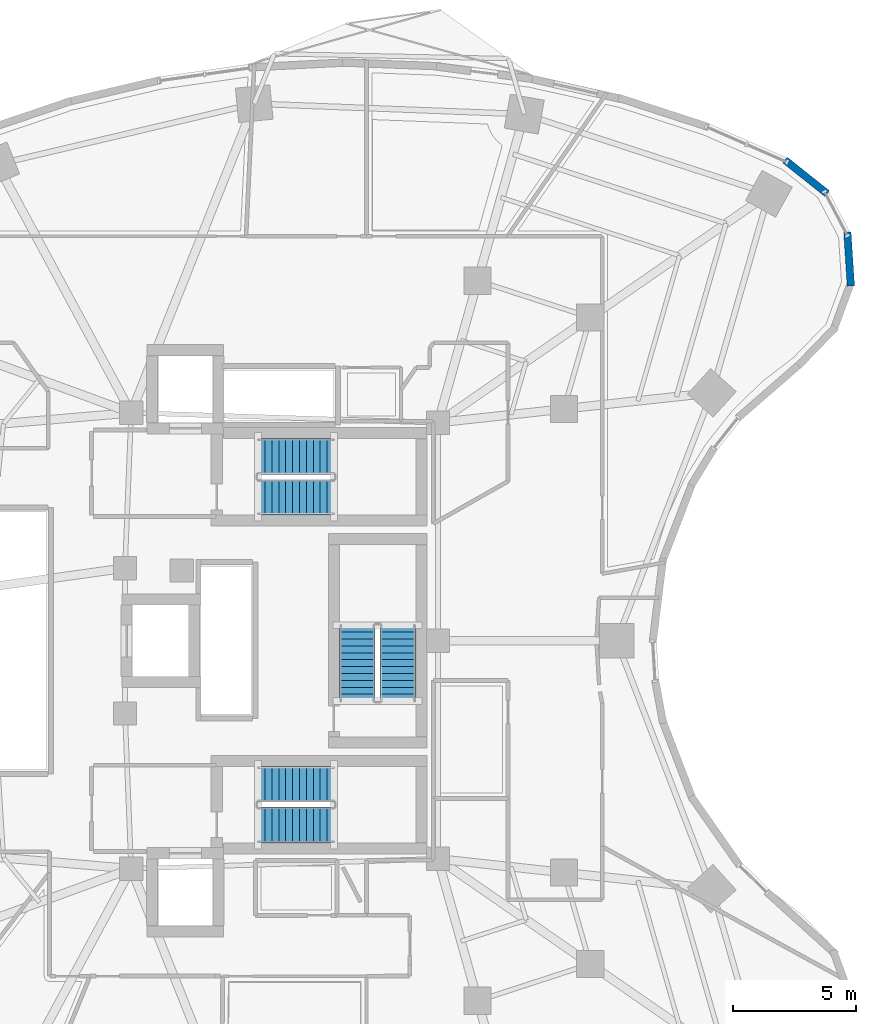
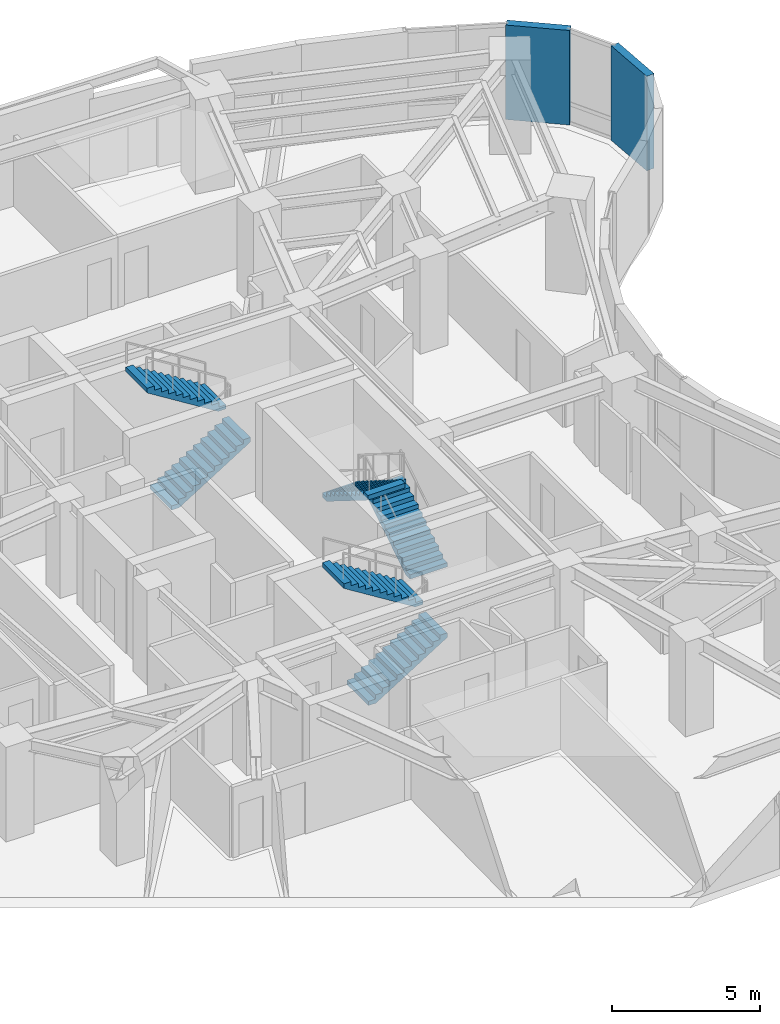
# One storey, part 12 of 15: 6 stair flights, 2 walls, 3 elements without a shape of their own.
"""IFC4 building model written with IfcOpenShell, lengths in metres."""

import ifcopenshell
import ifcopenshell.guid

model = None  # the IFC model being written
_history = None  # IfcOwnerHistory: only IFC2X3 demands one
_inside = {}  # id of a spatial element -> (the spatial element, [elements in it])
_under = {}  # id of a project, library or spatial element -> (it, [spatial elements below it])
_declared = {}  # id of a project -> (the project, [libraries it declares])
_typed = {}  # id of a type object -> (the type object, [elements of that type])
_made_of = {}  # id of a material, layer set ... -> (it, [elements and type objects made of it])


def new_model(schema):
    """Start an empty IFC model of exactly this schema.

    Asked for "IFC4X3", IfcOpenShell would pick the latest addendum, in which some entities
    have other attributes; the version numbers below select the first issue.
    IFC2X3 requires an IfcOwnerHistory on every rooted entity: one is made here for all.
    """
    global model, _history
    if schema == "IFC4X3":
        model = ifcopenshell.file(schema_version=(4, 3, 0, 0))
    else:
        model = ifcopenshell.file(schema=schema)
    _inside.clear()
    _under.clear()
    _declared.clear()
    _typed.clear()
    _made_of.clear()
    _history = None
    if model.schema == "IFC2X3":
        org = make("IfcOrganization", Name="unknown")
        user = make(
            "IfcPersonAndOrganization",
            ThePerson=make("IfcPerson", FamilyName="unknown"),
            TheOrganization=org,
        )
        app = make(
            "IfcApplication",
            ApplicationDeveloper=org,
            Version="unknown",
            ApplicationFullName="unknown",
            ApplicationIdentifier="unknown",
        )
        _history = make(
            "IfcOwnerHistory",
            OwningUser=user,
            OwningApplication=app,
            ChangeAction="ADDED",
            CreationDate=0,
        )
    return model


def make(cls, **values):
    """One entity of the class cls with the attributes given. An attribute that is None is left unset."""
    return model.create_entity(
        cls, **{name: value for name, value in values.items() if value is not None}
    )


def rooted(cls, **values):
    """An entity with a GlobalId (a new one), such as an element, a storey or a relation."""
    return make(cls, GlobalId=ifcopenshell.guid.new(), OwnerHistory=_history, **values)


def si_unit(unit_type, name, prefix=None):
    """IfcSIUnit, for example si_unit("LENGTHUNIT", "METRE", prefix="MILLI")."""
    return make("IfcSIUnit", UnitType=unit_type, Prefix=prefix, Name=name)


def assignment(units):
    """IfcUnitAssignment: the units of a project."""
    return None if units is None else make("IfcUnitAssignment", Units=units)


def point(xyz):
    """IfcCartesianPoint."""
    return None if xyz is None else make("IfcCartesianPoint", Coordinates=xyz)


def direction(xyz):
    """IfcDirection."""
    return None if xyz is None else make("IfcDirection", DirectionRatios=xyz)


def frame(location, z_axis=None, x_axis=None):
    """IfcAxis2Placement3D, a coordinate frame: its origin and axes. An axis left out is left unset."""
    return make(
        "IfcAxis2Placement3D",
        Location=point(location),
        Axis=direction(z_axis),
        RefDirection=direction(x_axis),
    )


def frame_2d(location, x_axis=None):
    """IfcAxis2Placement2D, a coordinate frame in the plane: its origin and x axis."""
    return make(
        "IfcAxis2Placement2D", Location=point(location), RefDirection=direction(x_axis)
    )


def origin():
    """The frame at (0, 0, 0) with its axes left unset."""
    return frame((0.0, 0.0, 0.0))


def place(relative_to, where):
    """IfcLocalPlacement: puts the frame where relative to a parent placement (None: the world)."""
    return make(
        "IfcLocalPlacement", PlacementRelTo=relative_to, RelativePlacement=where
    )


def context(
    kind, dimensions, precision=None, world=None, true_north=None, identifier=None
):
    """IfcGeometricRepresentationContext, for example the 3D "Model" context."""
    return make(
        "IfcGeometricRepresentationContext",
        ContextIdentifier=identifier,
        ContextType=kind,
        CoordinateSpaceDimension=dimensions,
        Precision=precision,
        WorldCoordinateSystem=world,
        TrueNorth=true_north,
    )


def subcontext(parent, identifier, kind, view, scale=None):
    """IfcGeometricRepresentationSubContext, for example "Body" below "Model"."""
    return make(
        "IfcGeometricRepresentationSubContext",
        ContextIdentifier=identifier,
        ContextType=kind,
        ParentContext=parent,
        TargetScale=scale,
        TargetView=view,
    )


def project(units=None, contexts=None):
    """IfcProject with its units and contexts."""
    return rooted(
        "IfcProject",
        Name="project",
        RepresentationContexts=contexts,
        UnitsInContext=assignment(units),
    )


def spatial(cls, under=None, at=None, **own):
    """A site, building, storey or space (cls), placed at a placement, below another one or the project."""
    s = rooted(cls, ObjectPlacement=at, **own)
    if under is not None:
        _under.setdefault(under.id(), (under, []))[1].append(s)
    return s


def polyline(points):
    """IfcPolyline through the points."""
    return make("IfcPolyline", Points=[point(p) for p in points])


def profile(cls, at=None, kind="AREA", **sizes):
    """A parametric profile (cls). Its sizes go by their IFC names, for example OverallWidth=200.0."""
    return make(cls, ProfileType=kind, Position=at, **sizes)


def rectangle(**sizes):
    """IfcRectangleProfileDef."""
    return profile("IfcRectangleProfileDef", **sizes)


def outline(outer, holes=None, kind="AREA"):
    """IfcArbitraryClosedProfileDef: a profile drawn as a closed curve; with holes, ...WithVoids."""
    if holes is None:
        return make("IfcArbitraryClosedProfileDef", ProfileType=kind, OuterCurve=outer)
    return make(
        "IfcArbitraryProfileDefWithVoids",
        ProfileType=kind,
        OuterCurve=outer,
        InnerCurves=holes,
    )


def extrude(swept, where, along, depth):
    """IfcExtrudedAreaSolid: the profile swept, set in the frame where, extruded along a direction by depth."""
    return make(
        "IfcExtrudedAreaSolid",
        SweptArea=swept,
        Position=where,
        ExtrudedDirection=direction(along),
        Depth=depth,
    )


def shape(context_of_items, identifier, shape_type, items):
    """IfcShapeRepresentation: the items that make up one representation, for example the "Body"."""
    return make(
        "IfcShapeRepresentation",
        ContextOfItems=context_of_items,
        RepresentationIdentifier=identifier,
        RepresentationType=shape_type,
        Items=items,
    )


def material(Name=None, Category=None):
    """IfcMaterial."""
    return make("IfcMaterial", Name=Name, Category=Category)


def layer(
    of_material, thickness, ventilated=None, Name=None, Category=None, Priority=None
):
    """IfcMaterialLayer: one layer of a wall or slab, of a material (None: an air gap)."""
    return make(
        "IfcMaterialLayer",
        Material=of_material,
        LayerThickness=thickness,
        IsVentilated=ventilated,
        Name=Name,
        Category=Category,
        Priority=Priority,
    )


def layer_set(layers, Name=None):
    """IfcMaterialLayerSet."""
    return make("IfcMaterialLayerSet", MaterialLayers=layers, LayerSetName=Name)


def made_of(thing, what):
    """Note that an element or type object is made of a material, layer set ...; save() writes the relation."""
    if what is not None:
        _made_of.setdefault(what.id(), (what, []))[1].append(thing)
    return thing


def type_object(cls, material=None, **own):
    """A type object (cls), such as IfcWallType, which elements share."""
    return made_of(rooted(cls, **own), material)


def element(
    cls,
    number,
    at=None,
    inside=None,
    cuts=None,
    type_object=None,
    material=None,
    context=None,
    identifier="Body",
    shape_type=None,
    held_by="IfcProductDefinitionShape",
    body=None,
    shapes=None,
    **own,
):
    """One element of the class cls, such as IfcWall. Its Tag is "e" and its number.

    at: its placement. inside: the storey or other place that contains it. cuts: it is an
    opening in that element (IfcRelVoidsElement). A single representation is given by context,
    identifier, shape_type and body (its items); several are given by shapes. held_by: the class
    of the entity that holds the representations. save() writes the other relations.
    """
    e = rooted(cls, Tag="e%d" % number, ObjectPlacement=at, **own)
    if body is not None:
        shapes = [shape(context, identifier, shape_type, body)]
    if shapes is not None:
        e.Representation = make(held_by, Representations=shapes)
    if inside is not None:
        _inside.setdefault(inside.id(), (inside, []))[1].append(e)
    if cuts is not None:
        rooted(
            "IfcRelVoidsElement", RelatingBuildingElement=cuts, RelatedOpeningElement=e
        )
    if type_object is not None:
        _typed.setdefault(type_object.id(), (type_object, []))[1].append(e)
    return made_of(e, material)


def aggregate(whole, parts):
    """IfcRelAggregates: a whole, such as a stair, and the parts it consists of."""
    return rooted("IfcRelAggregates", RelatingObject=whole, RelatedObjects=parts)


def save(model, path):
    """Write the relations noted so far, then the file.

    IfcRelAggregates (storeys below a building ...), IfcRelContainedInSpatialStructure (elements
    in a storey), IfcRelDefinesByType, IfcRelAssociatesMaterial and IfcRelDeclares: one each for
    every whole, place, type object, material and project.
    """
    for whole, parts in _under.values():
        aggregate(whole, parts)
    for where, things in _inside.values():
        rooted(
            "IfcRelContainedInSpatialStructure",
            RelatedElements=things,
            RelatingStructure=where,
        )
    for kind, things in _typed.values():
        rooted("IfcRelDefinesByType", RelatedObjects=things, RelatingType=kind)
    for what, things in _made_of.values():
        rooted("IfcRelAssociatesMaterial", RelatedObjects=things, RelatingMaterial=what)
    for by, libraries in _declared.values():
        rooted("IfcRelDeclares", RelatingContext=by, RelatedDefinitions=libraries)
    model.write(path)


model = new_model("IFC4")

# Units and contexts
model_context = context("Model", 3, precision=1e-05, world=origin(), true_north=direction((0.0, 1.0)))
body_context = subcontext(model_context, "Body", "Model", "MODEL_VIEW")
ifc_project = project(units=[si_unit("LENGTHUNIT", "METRE"), si_unit("AREAUNIT", "SQUARE_METRE"), si_unit("VOLUMEUNIT", "CUBIC_METRE"), si_unit("PLANEANGLEUNIT", "RADIAN"), si_unit("MASSUNIT", "GRAM", prefix="KILO")], contexts=[model_context])

# Site, building, storey
site_placement = place(None, origin())
site = spatial("IfcSite", under=ifc_project, at=site_placement, CompositionType="ELEMENT")
building_placement = place(site_placement, origin())
building = spatial("IfcBuilding", under=site, at=building_placement, Name="Korentha Bioscience Tower", CompositionType="ELEMENT")
storey_placement = place(building_placement, frame((0.0, 0.0, 42.60009765625)))
storey = spatial("IfcBuildingStorey", under=building, at=storey_placement, Name="L09", CompositionType="ELEMENT", Elevation=42.60009765625)

# Walls
ifc_material_1 = material(Name="Honed Limestone Precast Concrete C40", Category="masonry")
ifc_layer = layer(ifc_material_1, 0.300048828125, Name="Honed Limestone Precast Concrete C40")
ifc_layer_set = layer_set([ifc_layer], Name="Honed Limestone Precast Concrete C40 (EW-ST300)")
wall_type = type_object("IfcWallType", Name="Honed Limestone Cavity Spandrel Wall 300", PredefinedType="STANDARD", material=ifc_layer_set)
for number, where, z_axis, x_axis, name in (
    (1, (54.303955078125, 41.392578125, 0.0), (0.0, 0.0, 1.0), (-0.064615302336, 0.99791024782, 0.0), "L09 Limestone Perimeter Closure Wall 60"),
    (2, (53.343994140625, 45.142822265625, 0.0), (0.0, 0.0, 1.0), (-0.782282158644, 0.622924252432, 0.0), "L09 Limestone Perimeter Closure Wall 62"),
):
    element("IfcWall", number, at=place(storey_placement, frame(where, z_axis=z_axis, x_axis=x_axis)), inside=storey, type_object=wall_type, Name=name, PredefinedType="STANDARD", context=body_context, shape_type="SweptSolid", body=[
        extrude(rectangle(XDim=2.187744140625, YDim=0.300048828125, at=frame_2d((1.09375, 0.0))), origin(), (0.0, 0.0, 1.0), 3.89990234375),
    ])

# Stair, stair flights
ifc_material_2 = material(Name="Precast Concrete C50", Category="concrete")
stair_type = type_object("IfcStairType", Name="Core Exit Dog-Leg Stair 1450", PredefinedType="HALF_TURN_STAIR", material=ifc_material_2)
stair_1_placement = place(storey_placement, origin())
stair_1 = element("IfcStair", 3, at=stair_1_placement, inside=storey, type_object=stair_type, Name="L09 Tower North Pressurized Exit Stair ST-1", PredefinedType="HALF_TURN_STAIR")
stair_flight_type = type_object("IfcStairFlightType", Name="Core Exit Dog-Leg Stair 1450 Flight", PredefinedType="STRAIGHT", material=ifc_material_2)
stair_flight_1_placement = place(storey_placement, frame((30.25, 32.824951171875, 0.0), z_axis=(0.0, 0.0, 1.0), x_axis=(1.0, 0.0, 0.0)))
stair_flight_1 = element("IfcStairFlight", 4, at=stair_flight_1_placement, type_object=stair_flight_type, Name="ST-1 flight 1", NumberOfRisers=12, NumberOfTreads=11, PredefinedType="STRAIGHT", RiserHeight=0.175, TreadLength=0.28, context=body_context, shape_type="SweptSolid", body=[
    extrude(outline(polyline([(0.0, 0.0), (0.0, 0.175048828125), (0.280029296875, 0.175048828125), (0.280029296875, 0.35009765625), (0.56005859375, 0.35009765625), (0.56005859375, 0.52490234375), (0.840087890625, 0.52490234375), (0.840087890625, 0.699951171875), (1.1201171875, 0.699951171875), (1.1201171875, 0.875), (1.39990234375, 0.875), (1.39990234375, 1.050048828125), (1.679931640625, 1.050048828125), (1.679931640625, 1.22509765625), (1.9599609375, 1.22509765625), (1.9599609375, 1.39990234375), (2.239990234375, 1.39990234375), (2.239990234375, 1.574951171875), (2.52001953125, 1.574951171875), (2.52001953125, 1.75), (2.800048828125, 1.75), (2.800048828125, 1.925048828125), (3.080078125, 1.925048828125), (3.080078125, 2.10009765625), (3.080078125, 1.736328125), (0.3017578125, 0.0), (0.0, 0.0)])), frame((0.0, 0.72509765625, 0.0), z_axis=(0.0, -1.0, 0.0), x_axis=(1.0, 0.0, 0.0)), (0.0, 0.0, 1.0), 1.449951171875),
])
stair_flight_2_placement = place(storey_placement, frame((33.330078125, 34.47509765625, 2.099853515625), z_axis=(0.0, 0.0, 1.0), x_axis=(-1.0, 0.0, 0.0)))
stair_flight_2 = element("IfcStairFlight", 5, at=stair_flight_2_placement, type_object=stair_flight_type, Name="ST-1 flight 2", NumberOfRisers=12, NumberOfTreads=11, PredefinedType="STRAIGHT", RiserHeight=0.175, TreadLength=0.28, context=body_context, shape_type="SweptSolid", body=[
    extrude(outline(polyline([(0.0, 0.0), (0.0, 0.175048828125), (0.280029296875, 0.175048828125), (0.280029296875, 0.35009765625), (0.56005859375, 0.35009765625), (0.56005859375, 0.52490234375), (0.840087890625, 0.52490234375), (0.840087890625, 0.699951171875), (1.1201171875, 0.699951171875), (1.1201171875, 0.875), (1.39990234375, 0.875), (1.39990234375, 1.050048828125), (1.679931640625, 1.050048828125), (1.679931640625, 1.22509765625), (1.9599609375, 1.22509765625), (1.9599609375, 1.39990234375), (2.239990234375, 1.39990234375), (2.239990234375, 1.574951171875), (2.52001953125, 1.574951171875), (2.52001953125, 1.75), (2.800048828125, 1.75), (2.800048828125, 1.925048828125), (3.080078125, 1.925048828125), (3.080078125, 2.10009765625), (3.080078125, 1.736328125), (0.3017578125, 0.0), (0.0, 0.0)])), frame((0.0, 0.72509765625, 0.0), z_axis=(0.0, -1.0, 0.0), x_axis=(1.0, 0.0, 0.0)), (0.0, 0.0, 1.0), 1.449951171875),
])
aggregate(stair_1, [stair_flight_1, stair_flight_2])

stair_2_placement = place(storey_placement, origin())
stair_2 = element("IfcStair", 6, at=stair_2_placement, inside=storey, type_object=stair_type, Name="L09 Tower South Pressurized Exit Stair ST-2", PredefinedType="HALF_TURN_STAIR")
stair_flight_3_placement = place(storey_placement, frame((30.25, 19.52490234375, 0.0), z_axis=(0.0, 0.0, 1.0), x_axis=(1.0, 0.0, 0.0)))
stair_flight_3 = element("IfcStairFlight", 7, at=stair_flight_3_placement, type_object=stair_flight_type, Name="ST-2 flight 1", NumberOfRisers=12, NumberOfTreads=11, PredefinedType="STRAIGHT", RiserHeight=0.175, TreadLength=0.28, context=body_context, shape_type="SweptSolid", body=[
    extrude(outline(polyline([(0.0, 0.0), (0.0, 0.175048828125), (0.280029296875, 0.175048828125), (0.280029296875, 0.35009765625), (0.56005859375, 0.35009765625), (0.56005859375, 0.52490234375), (0.840087890625, 0.52490234375), (0.840087890625, 0.699951171875), (1.1201171875, 0.699951171875), (1.1201171875, 0.875), (1.39990234375, 0.875), (1.39990234375, 1.050048828125), (1.679931640625, 1.050048828125), (1.679931640625, 1.22509765625), (1.9599609375, 1.22509765625), (1.9599609375, 1.39990234375), (2.239990234375, 1.39990234375), (2.239990234375, 1.574951171875), (2.52001953125, 1.574951171875), (2.52001953125, 1.75), (2.800048828125, 1.75), (2.800048828125, 1.925048828125), (3.080078125, 1.925048828125), (3.080078125, 2.10009765625), (3.080078125, 1.736328125), (0.3017578125, 0.0), (0.0, 0.0)])), frame((0.0, 0.72509765625, 0.0), z_axis=(0.0, -1.0, 0.0), x_axis=(1.0, 0.0, 0.0)), (0.0, 0.0, 1.0), 1.449951171875),
])
stair_flight_4_placement = place(storey_placement, frame((33.330078125, 21.175048828125, 2.099853515625), z_axis=(0.0, 0.0, 1.0), x_axis=(-1.0, 0.0, 0.0)))
stair_flight_4 = element("IfcStairFlight", 8, at=stair_flight_4_placement, type_object=stair_flight_type, Name="ST-2 flight 2", NumberOfRisers=12, NumberOfTreads=11, PredefinedType="STRAIGHT", RiserHeight=0.175, TreadLength=0.28, context=body_context, shape_type="SweptSolid", body=[
    extrude(outline(polyline([(0.0, 0.0), (0.0, 0.175048828125), (0.280029296875, 0.175048828125), (0.280029296875, 0.35009765625), (0.56005859375, 0.35009765625), (0.56005859375, 0.52490234375), (0.840087890625, 0.52490234375), (0.840087890625, 0.699951171875), (1.1201171875, 0.699951171875), (1.1201171875, 0.875), (1.39990234375, 0.875), (1.39990234375, 1.050048828125), (1.679931640625, 1.050048828125), (1.679931640625, 1.22509765625), (1.9599609375, 1.22509765625), (1.9599609375, 1.39990234375), (2.239990234375, 1.39990234375), (2.239990234375, 1.574951171875), (2.52001953125, 1.574951171875), (2.52001953125, 1.75), (2.800048828125, 1.75), (2.800048828125, 1.925048828125), (3.080078125, 1.925048828125), (3.080078125, 2.10009765625), (3.080078125, 1.736328125), (0.3017578125, 0.0), (0.0, 0.0)])), frame((0.0, 0.72509765625, 0.0), z_axis=(0.0, -1.0, 0.0), x_axis=(1.0, 0.0, 0.0)), (0.0, 0.0, 1.0), 1.449951171875),
])
aggregate(stair_2, [stair_flight_3, stair_flight_4])

stair_3_placement = place(storey_placement, origin())
stair_3 = element("IfcStair", 9, at=stair_3_placement, inside=storey, type_object=stair_type, Name="L09 Tower Central Pressurized Exit Stair ST-3", PredefinedType="HALF_TURN_STAIR")
stair_flight_5_placement = place(storey_placement, frame((35.925048828125, 24.550048828125, 0.0), z_axis=(0.0, 0.0, 1.0), x_axis=(0.0, 1.0, 0.0)))
stair_flight_5 = element("IfcStairFlight", 10, at=stair_flight_5_placement, type_object=stair_flight_type, Name="ST-3 flight 1", NumberOfRisers=12, NumberOfTreads=11, PredefinedType="STRAIGHT", RiserHeight=0.175, TreadLength=0.28, context=body_context, shape_type="SweptSolid", body=[
    extrude(outline(polyline([(0.0, 0.0), (0.0, 0.175048828125), (0.280029296875, 0.175048828125), (0.280029296875, 0.35009765625), (0.56005859375, 0.35009765625), (0.56005859375, 0.52490234375), (0.840087890625, 0.52490234375), (0.840087890625, 0.699951171875), (1.1201171875, 0.699951171875), (1.1201171875, 0.875), (1.39990234375, 0.875), (1.39990234375, 1.050048828125), (1.679931640625, 1.050048828125), (1.679931640625, 1.22509765625), (1.9599609375, 1.22509765625), (1.9599609375, 1.39990234375), (2.239990234375, 1.39990234375), (2.239990234375, 1.574951171875), (2.52001953125, 1.574951171875), (2.52001953125, 1.75), (2.800048828125, 1.75), (2.800048828125, 1.925048828125), (3.080078125, 1.925048828125), (3.080078125, 2.10009765625), (3.080078125, 1.736328125), (0.3017578125, 0.0), (0.0, 0.0)])), frame((0.0, 0.72509765625, 0.0), z_axis=(0.0, -1.0, 0.0), x_axis=(1.0, 0.0, 0.0)), (0.0, 0.0, 1.0), 1.449951171875),
])
stair_flight_6_placement = place(storey_placement, frame((34.27490234375, 27.6298828125, 2.099853515625), z_axis=(0.0, 0.0, 1.0), x_axis=(0.0, -1.0, 0.0)))
stair_flight_6 = element("IfcStairFlight", 11, at=stair_flight_6_placement, type_object=stair_flight_type, Name="ST-3 flight 2", NumberOfRisers=12, NumberOfTreads=11, PredefinedType="STRAIGHT", RiserHeight=0.175, TreadLength=0.28, context=body_context, shape_type="SweptSolid", body=[
    extrude(outline(polyline([(0.0, 0.0), (0.0, 0.175048828125), (0.280029296875, 0.175048828125), (0.280029296875, 0.35009765625), (0.56005859375, 0.35009765625), (0.56005859375, 0.52490234375), (0.840087890625, 0.52490234375), (0.840087890625, 0.699951171875), (1.1201171875, 0.699951171875), (1.1201171875, 0.875), (1.39990234375, 0.875), (1.39990234375, 1.050048828125), (1.679931640625, 1.050048828125), (1.679931640625, 1.22509765625), (1.9599609375, 1.22509765625), (1.9599609375, 1.39990234375), (2.239990234375, 1.39990234375), (2.239990234375, 1.574951171875), (2.52001953125, 1.574951171875), (2.52001953125, 1.75), (2.800048828125, 1.75), (2.800048828125, 1.925048828125), (3.080078125, 1.925048828125), (3.080078125, 2.10009765625), (3.080078125, 1.736328125), (0.3017578125, 0.0), (0.0, 0.0)])), frame((0.0, 0.72509765625, 0.0), z_axis=(0.0, -1.0, 0.0), x_axis=(1.0, 0.0, 0.0)), (0.0, 0.0, 1.0), 1.449951171875),
])
aggregate(stair_3, [stair_flight_5, stair_flight_6])

save(model, "model.ifc")
